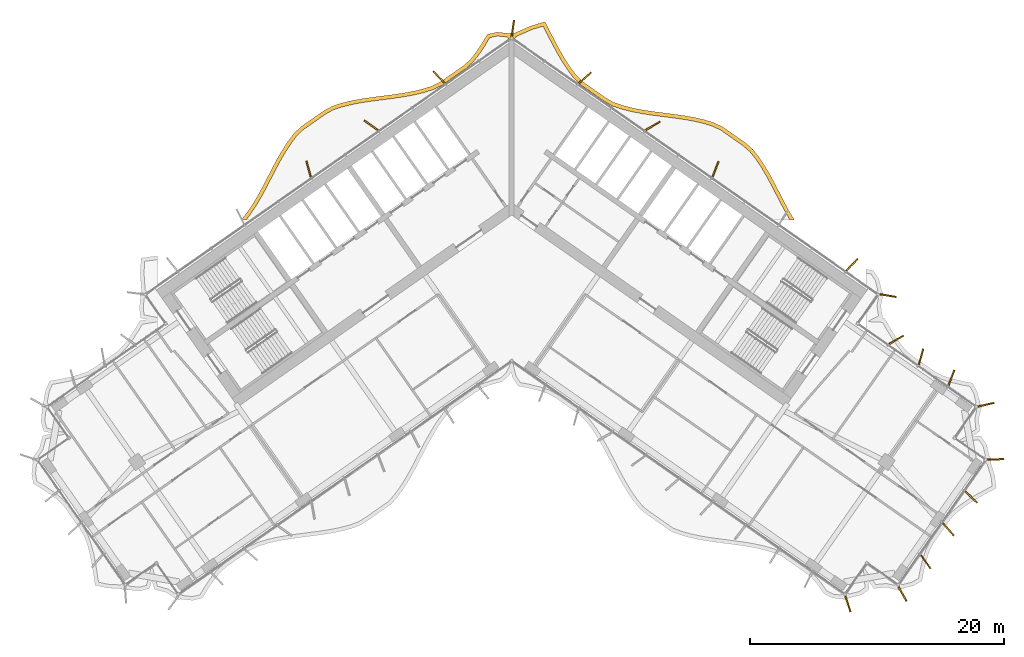
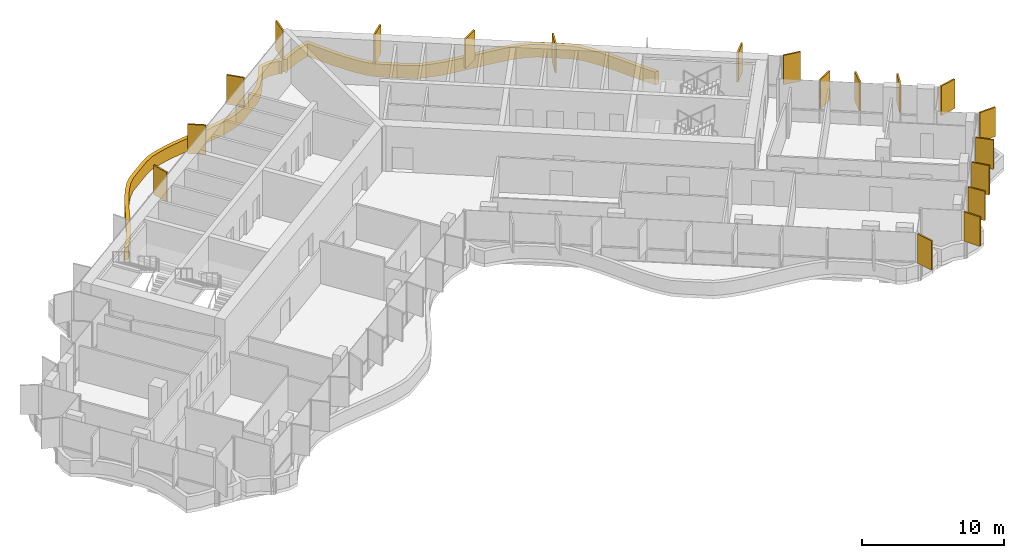
# One storey, part 23 of 23: 20 shading devices.
"""IFC4 building model written with IfcOpenShell, lengths in metres."""

from ifc_helpers import new_model, si_unit, direction, frame, origin, origin_2d, place, context, subcontext, project, spatial, polyline, rectangle, outline, extrude, material, layer, layer_set, type_object, element, save


model = new_model("IFC4")

# Units and contexts
model_context = context("Model", 3, precision=1e-05, world=origin(), true_north=direction((0.0, 1.0)))
body_context = subcontext(model_context, "Body", "Model", "MODEL_VIEW")
ifc_project = project(units=[si_unit("LENGTHUNIT", "METRE"), si_unit("AREAUNIT", "SQUARE_METRE"), si_unit("VOLUMEUNIT", "CUBIC_METRE"), si_unit("PLANEANGLEUNIT", "RADIAN"), si_unit("MASSUNIT", "GRAM", prefix="KILO")], contexts=[model_context])

# Site, building, storey
site_placement = place(None, origin())
site = spatial("IfcSite", under=ifc_project, at=site_placement, CompositionType="ELEMENT")
building_placement = place(site_placement, origin())
building = spatial("IfcBuilding", under=site, at=building_placement, Name="Tel Ilan Convention Tower", CompositionType="ELEMENT")
storey_placement = place(building_placement, frame((0.0, 0.0, 171.0)))
storey = spatial("IfcBuildingStorey", under=building, at=storey_placement, Name="L39", CompositionType="ELEMENT", Elevation=171.0)

# Shading devices
ifc_material_1 = material(Name="Aluminium, bronze anodised", Category="aluminium")
ifc_layer_1 = layer(ifc_material_1, 0.1201171875)
ifc_layer_set_1 = layer_set([ifc_layer_1], Name="FIN BRONZE 1300x120")
shading_device_type_1 = type_object("IfcShadingDeviceType", Name="FIN BRONZE 1300x120", PredefinedType="USERDEFINED", material=ifc_layer_set_1)
for number, where, z_axis, x_axis, name in (
    (1, (29.619140625, -7.562255859375, 1.10009765625), (0.0, 0.0, 1.0), (0.986445172547, -0.16409119891, 0.0), "FIN"),
    (2, (26.77685546875, -5.13623046875, 1.10009765625), (0.0, 0.0, 1.0), (0.686241637865, 0.727373641577, 0.0), "FIN"),
    (3, (16.037841796875, 2.375732421875, 1.10009765625), (0.0, 0.0, 1.0), (0.360177724803, 0.932883704733, 0.0), "FIN"),
    (4, (11.107666015625, 5.7900390625, 1.10009765625), (0.0, 0.0, 1.0), (0.866025403784, 0.5, 0.0), "FIN"),
    (5, (5.762939453125, 9.570068359375, 1.10009765625), (0.0, 0.0, 1.0), (0.753435896329, 0.657521368568, 0.0), "FIN"),
    (6, (0.09423828125, 13.469482421875, 1.10009765625), (0.0, 0.0, 1.0), (0.144931859301, 0.989441638582, 0.0), "FIN"),
    (7, (-5.716064453125, 9.61083984375, 1.10009765625), (0.0, 0.0, 1.0), (-0.686241637865, 0.727373641577, 0.0), "FIN"),
    (8, (-11.070556640625, 5.838623046875, 1.10009765625), (0.0, 0.0, 1.0), (-0.813552070258, 0.581492071294, 0.0), "FIN"),
    (9, (-15.981201171875, 2.39990234375, 1.10009765625), (0.0, 0.0, 1.0), (-0.268172612768, 0.963370878614, 0.0), "FIN"),
    (10, (26.4580078125, -31.8251953125, 1.10009765625), (0.0, 0.0, 1.0), (0.314544756146, -0.949242643575, 0.0), "FIN"),
    (11, (30.753173828125, -31.048583984375, 1.10009765625), (0.0, 0.0, 1.0), (0.491579408049, -0.870832754082, 0.0), "FIN"),
    (12, (32.573486328125, -28.5048828125, 1.10009765625), (0.0, 0.0, 1.0), (0.581492071294, -0.813552070258, 0.0), "FIN"),
    (13, (34.367919921875, -25.964111328125, 1.10009765625), (0.0, 0.0, 1.0), (0.657521368568, -0.753435896329, 0.0), "FIN"),
    (14, (36.157958984375, -23.418701171875, 1.10009765625), (0.0, 0.0, 1.0), (0.727373641577, -0.686241637865, 0.0), "FIN"),
    (15, (38.085693359375, -20.44921875, 1.10009765625), (0.0, 0.0, 1.0), (0.999576950082, 0.029084718749, 0.0), "FIN"),
    (16, (37.327392578125, -16.147216796875, 1.10009765625), (0.0, 0.0, 1.0), (0.975235208752, 0.221170268371, 0.0), "FIN"),
    (17, (34.5986328125, -14.0390625, 1.10009765625), (0.0, 0.0, 1.0), (0.360177724803, 0.932883704733, 0.0), "FIN"),
    (18, (32.20751953125, -12.3798828125, 1.10009765625), (0.0, 0.0, 1.0), (0.268172612768, 0.963370878614, 0.0), "FIN"),
    (19, (30.2646484375, -11.0419921875, 1.10009765625), (0.0, 0.0, 1.0), (0.866025403784, 0.5, 0.0), "FIN"),
):
    element("IfcShadingDevice", number, at=place(storey_placement, frame(where, z_axis=z_axis, x_axis=x_axis)), inside=storey, type_object=shading_device_type_1, Name=name, ObjectType="FIN", PredefinedType="USERDEFINED", context=body_context, shape_type="SweptSolid", body=[
        extrude(rectangle(XDim=1.300048828125, YDim=0.1201171875, at=origin_2d()), origin(), (0.0, 0.0, 1.0), 2.52001953125),
    ])
ifc_material_2 = material(Name="Aluminium, bronze anodised", Category="aluminium")
ifc_layer_2 = layer(ifc_material_2, 0.300048828125)
ifc_layer_set_2 = layer_set([ifc_layer_2], Name="LOUVRE BAND 300x1100")
shading_device_type_2 = type_object("IfcShadingDeviceType", Name="LOUVRE BAND 300x1100", PredefinedType="USERDEFINED", material=ifc_layer_set_2)
shading_device_placement = place(storey_placement, origin())
element("IfcShadingDevice", 20, at=shading_device_placement, inside=storey, type_object=shading_device_type_2, Name="LOUVRE BAND 31.02", ObjectType="LOUVRE", PredefinedType="USERDEFINED", context=body_context, shape_type="SweptSolid", body=[
    extrude(outline(polyline([(-20.849609375, -1.0634765625), (-21.30126953125, -1.631591796875), (-20.91796875, -1.631591796875), (-20.607666015625, -1.2412109375), (-20.154052734375, -0.572265625), (-19.73291015625, 0.13330078125), (-19.335205078125, 0.86328125), (-18.57080078125, 2.342041015625), (-18.1845703125, 3.06298828125), (-17.78369140625, 3.75341796875), (-17.359619140625, 4.40185546875), (-16.911376953125, 4.99072265625), (-16.409912109375, 5.478515625), (-14.633056640625, 6.722412109375), (-14.02197265625, 7.05712890625), (-13.32763671875, 7.284912109375), (-12.58056640625, 7.4697265625), (-11.800048828125, 7.61669921875), (-10.994384765625, 7.73681640625), (-9.345458984375, 7.94873046875), (-8.521484375, 8.068603515625), (-7.710693359375, 8.216064453125), (-6.921875, 8.404296875), (-6.152587890625, 8.64794921875), (-5.447509765625, 9.00390625), (-3.604248046875, 10.29443359375), (-3.021484375, 10.82373046875), (-2.525634765625, 11.46142578125), (-2.076904296875, 12.135498046875), (-1.727783203125, 12.727294921875), (-1.12451171875, 12.861572265625), (-0.33935546875, 12.77978515625), (-0.24609375, 12.646728515625), (0.0, 12.818115234375), (0.24609375, 12.646728515625), (0.3701171875, 12.82373046875), (1.583984375, 13.365234375), (2.46484375, 13.628173828125), (3.115478515625, 12.37158203125), (3.5078125, 11.636474609375), (3.92041015625, 10.921630859375), (4.362548828125, 10.239501953125), (4.84716796875, 9.595947265625), (5.407958984375, 9.031494140625), (7.251220703125, 7.74072265625), (7.93212890625, 7.353759765625), (8.69921875, 7.09716796875), (9.48291015625, 6.89990234375), (10.2900390625, 6.745361328125), (11.112060546875, 6.621337890625), (12.762939453125, 6.408935546875), (13.572509765625, 6.29248046875), (14.3583984375, 6.15185546875), (15.11279296875, 5.97509765625), (15.819580078125, 5.75537109375), (16.44921875, 5.450927734375), (18.22607421875, 4.206787109375), (18.74951171875, 3.746826171875), (19.200927734375, 3.172607421875), (19.63037109375, 2.533447265625), (20.03515625, 1.850341796875), (20.423583984375, 1.13427734375), (21.186767578125, -0.3427734375), (21.5810546875, -1.075927734375), (21.906005859375, -1.631591796875), (22.25341796875, -1.631591796875), (21.8427734375, -0.928955078125), (21.4521484375, -0.202880859375), (20.688720703125, 1.27490234375), (20.296142578125, 1.998291015625), (19.884033203125, 2.69384765625), (19.44384765625, 3.34912109375), (18.96826171875, 3.9541015625), (18.41162109375, 4.443115234375), (16.6015625, 5.71044921875), (15.929931640625, 6.03515625), (15.191650390625, 6.2646484375), (14.419189453125, 6.44580078125), (13.6201171875, 6.588623046875), (12.80322265625, 6.7060546875), (11.15380859375, 6.91845703125), (10.340576171875, 7.041259765625), (9.547607421875, 7.19287109375), (8.783447265625, 7.385498046875), (8.054931640625, 7.62890625), (7.411865234375, 7.99462890625), (5.601806640625, 9.261962890625), (5.074462890625, 9.792724609375), (4.608642578125, 10.41162109375), (4.17626953125, 11.078369140625), (3.770263671875, 11.7822265625), (3.38134765625, 12.510986328125), (2.6162109375, 13.986328125), (1.4794921875, 13.647216796875), (0.168701171875, 13.059326171875), (0.11474609375, 13.09521484375), (0.0, 13.1181640625), (-0.11474609375, 13.09521484375), (-0.168701171875, 13.059326171875), (-1.14208984375, 13.1650390625), (-1.919921875, 12.991943359375), (-2.3310546875, 12.294921875), (-2.769287109375, 11.63671875), (-3.242431640625, 11.0283203125), (-3.7919921875, 10.529296875), (-5.601806640625, 9.261962890625), (-6.26611328125, 8.926513671875), (-7.002197265625, 8.693603515625), (-7.7724609375, 8.509765625), (-8.570068359375, 8.36474609375), (-9.385986328125, 8.24609375), (-11.03564453125, 8.033935546875), (-11.849853515625, 7.91259765625), (-12.644287109375, 7.76318359375), (-13.41064453125, 7.573486328125), (-14.141845703125, 7.33349609375), (-14.791748046875, 6.977783203125), (-16.6015625, 5.71044921875), (-17.136474609375, 5.1904296875), (-17.604736328125, 4.574951171875), (-18.0390625, 3.9111328125), (-18.44677734375, 3.209228515625), (-18.83642578125, 2.481689453125), (-19.60009765625, 1.004150390625), (-19.993408203125, 0.281982421875), (-20.4072265625, -0.4111328125), (-20.849609375, -1.0634765625)])), origin(), (0.0, 0.0, 1.0), 1.10009765625),
])

save(model, "model.ifc")
